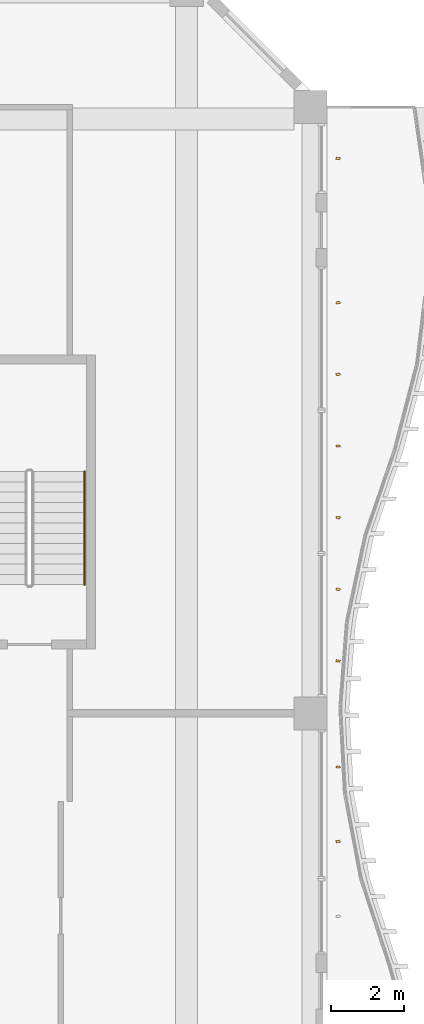
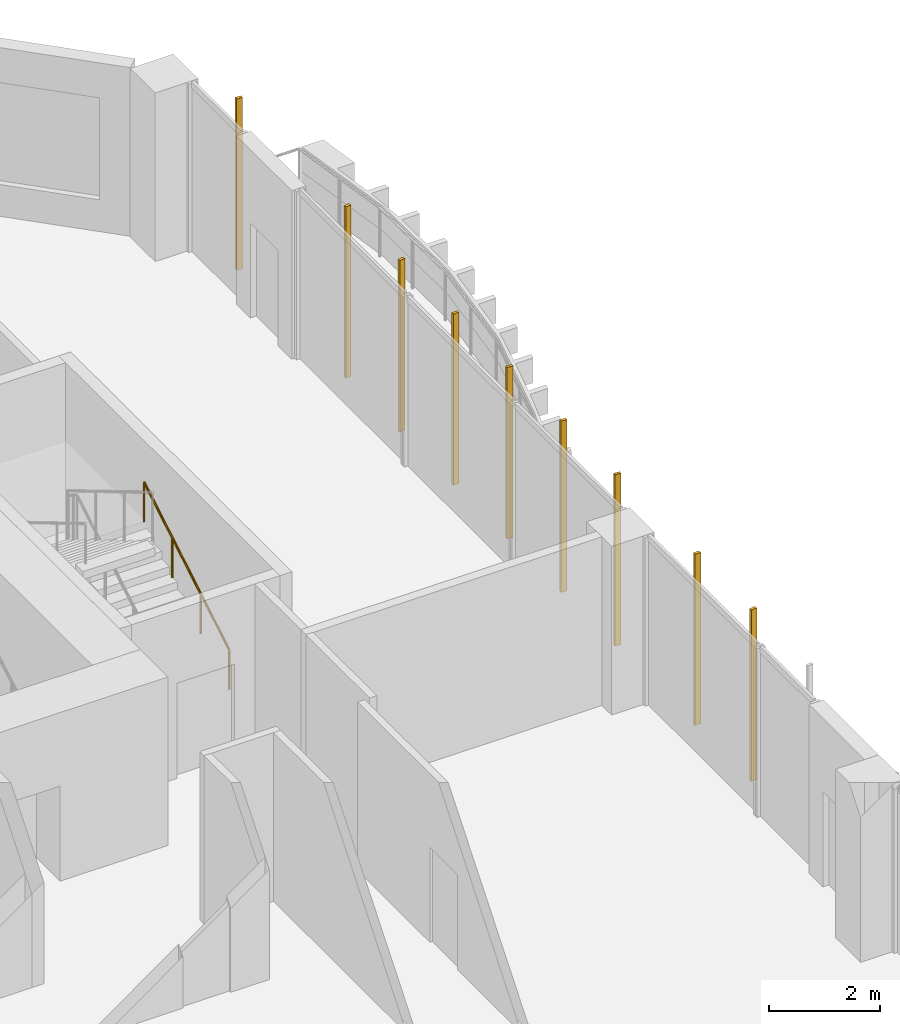
# One storey, part 26 of 26: 9 shading devices, 1 railing.
"""IFC4 building model written with IfcOpenShell, lengths in metres."""

from ifc_helpers import new_model, si_unit, direction, frame, origin, origin_2d, place, context, subcontext, project, spatial, rectangle, circle, extrude, source, transform, mapped, material, material_profile, profile_set, type_object, element, save


model = new_model("IFC4")

# Units and contexts
model_context = context("Model", 3, precision=1e-05, world=origin(), true_north=direction((0.0, 1.0)))
body_context = subcontext(model_context, "Body", "Model", "MODEL_VIEW")
ifc_project = project(units=[si_unit("LENGTHUNIT", "METRE"), si_unit("AREAUNIT", "SQUARE_METRE"), si_unit("VOLUMEUNIT", "CUBIC_METRE"), si_unit("PLANEANGLEUNIT", "RADIAN"), si_unit("MASSUNIT", "GRAM", prefix="KILO")], contexts=[model_context])

# Site, building, storey
site_placement = place(None, origin())
site = spatial("IfcSite", under=ifc_project, at=site_placement, CompositionType="ELEMENT")
building_placement = place(site_placement, origin())
building = spatial("IfcBuilding", under=site, at=building_placement, Name="Kilnfold Tower and Market Hall", CompositionType="ELEMENT")
storey_placement = place(building_placement, frame((0.0, 0.0, 31.0)))
storey = spatial("IfcBuildingStorey", under=building, at=storey_placement, Name="L06", CompositionType="ELEMENT", Elevation=31.0)

# Railing
ifc_material_1 = material(Name="Stainless steel 316", Category="steel")
railing_type = type_object("IfcRailingType", Name="CORE STAIR HANDRAIL 900", PredefinedType="HANDRAIL", material=ifc_material_1)
railing_placement = place(storey_placement, frame((21.39990234375, 11.5, 0.166748046875)))
element("IfcRailing", 1, at=railing_placement, inside=storey, type_object=railing_type, Name="L06 ST5 stair handrail 1", PredefinedType="HANDRAIL", context=body_context, shape_type="SweptSolid", body=[
    extrude(circle(Radius=0.02392578125, at=origin_2d()), frame((0.0, 0.0, 0.8759765625), z_axis=(0.0, 0.859308565015, 0.511457515432), x_axis=(-1.0, 0.0, 0.0)), (0.0, 0.0, 1.0), 3.58447265625),
    extrude(circle(Radius=0.02099609375, at=origin_2d()), origin(), (0.0, 0.0, 1.0), 0.851806640625),
    extrude(circle(Radius=0.02099609375, at=origin_2d()), frame((0.0, 1.026611328125, 0.611083984375)), (0.0, 0.0, 1.0), 0.851806640625),
    extrude(circle(Radius=0.02099609375, at=origin_2d()), frame((0.0, 2.053466796875, 1.22216796875)), (0.0, 0.0, 1.0), 0.851806640625),
    extrude(circle(Radius=0.02099609375, at=origin_2d()), frame((0.0, 3.080078125, 1.833251953125)), (0.0, 0.0, 1.0), 0.851806640625),
])

# Shading devices
ifc_material_2 = material(Name="Terracotta", Category="masonry")
ifc_material_profile = material_profile(ifc_material_2, rectangle(XDim=0.06005859375, YDim=0.1201171875, at=origin_2d()), Name="BAG 60x120")
ifc_profile_set = profile_set([ifc_material_profile], Name="Terracotta")
shading_device_type = type_object("IfcShadingDeviceType", Name="BAGUETTE", PredefinedType="USERDEFINED", material=ifc_profile_set)
shared_shape = source(origin(), body_context, "Body", "SweptSolid", [
    extrude(rectangle(XDim=0.06005859375, YDim=0.1201171875, at=origin_2d()), origin(), (0.0, 0.0, 1.0), 3.780029296875),
])
for number, where, z_axis, x_axis, name in (
    (2, (28.300048828125, 4.512451171875, 0.0), (0.0, 0.0, 1.0), (-0.129496535382, 0.991579874405, 0.0), "Terracotta baguette L06 E"),
    (3, (28.300048828125, 6.53759765625, 0.0), (0.0, 0.0, 1.0), (-0.039350502748, 0.999225469018, 0.0), "Terracotta baguette L06 E"),
    (4, (28.300048828125, 9.425048828125, 0.0), (0.0, 0.0, 1.0), (0.117974160395, 0.993016665257, 0.0), "Terracotta baguette L06 E"),
    (5, (28.300048828125, 11.375, 0.0), (0.0, 0.0, 1.0), (0.132387868902, 0.99119798838, 0.0), "Terracotta baguette L06 E"),
    (6, (28.300048828125, 13.324951171875, 0.0), (0.0, 0.0, 1.0), (0.051915903727, 0.99865146019, 0.0), "Terracotta baguette L06 E"),
    (7, (28.300048828125, 15.27490234375, 0.0), (0.0, 0.0, 1.0), (-0.066157219977, 0.997809211345, 0.0), "Terracotta baguette L06 E"),
    (8, (28.300048828125, 17.22509765625, 0.0), (0.0, 0.0, 1.0), (-0.136370902365, 0.990657850617, 0.0), "Terracotta baguette L06 E"),
    (9, (28.300048828125, 19.175048828125, 0.0), (0.0, 0.0, 1.0), (-0.108918923371, 0.994050636603, 0.0), "Terracotta baguette L06 E"),
    (10, (28.300048828125, 23.10009765625, 0.0), (0.0, 0.0, 1.0), (0.106003750633, 0.994365729926, 0.0), "Terracotta baguette L06 E"),
):
    element("IfcShadingDevice", number, at=place(storey_placement, frame(where, z_axis=z_axis, x_axis=x_axis)), inside=storey, type_object=shading_device_type, Name=name, ObjectType="BAGUETTE", PredefinedType="USERDEFINED", context=body_context, shape_type="MappedRepresentation", body=[
        mapped(shared_shape, transform((0.0, 0.0, 0.0))),
    ])

save(model, "model.ifc")
